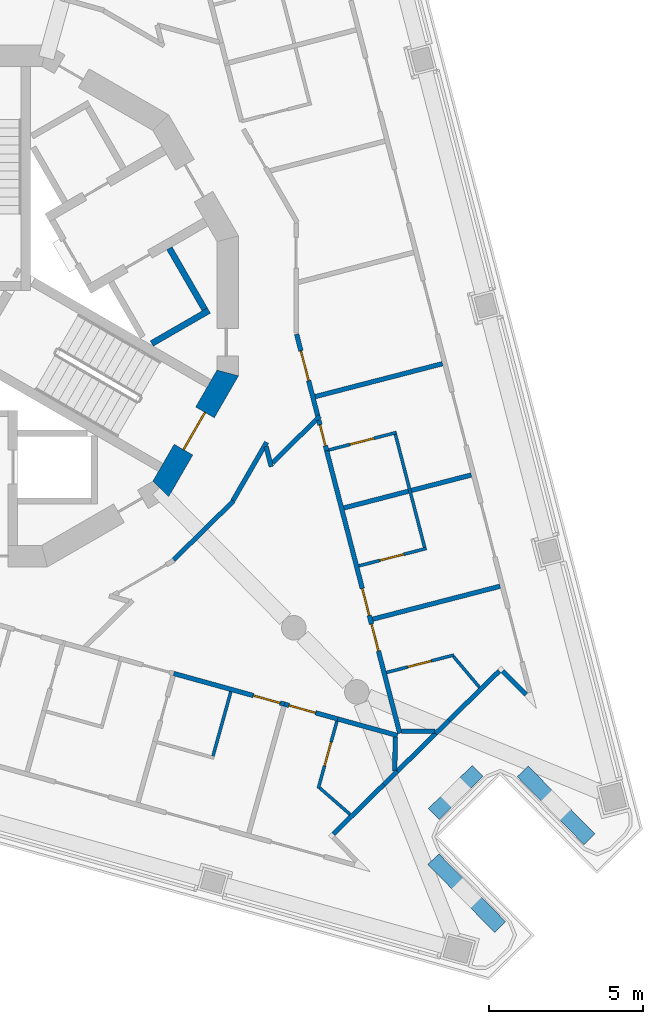
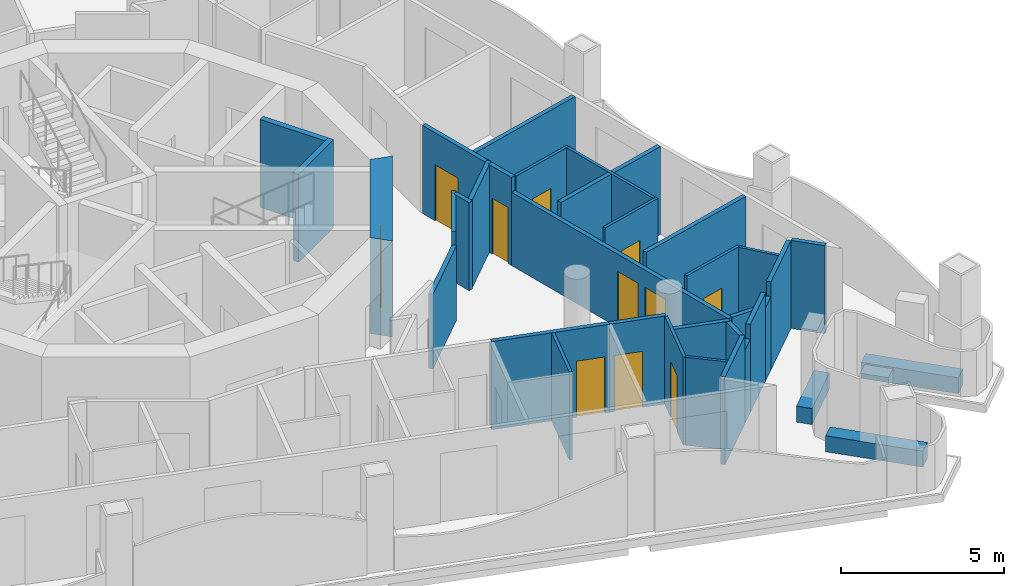
# One storey, part 6 of 14: 35 walls, 11 doors, 11 openings.
"""IFC4 building model written with IfcOpenShell, lengths in metres."""

from ifc_helpers import new_model, si_unit, direction, frame, frame_2d, origin, place, context, subcontext, project, spatial, polyline, rectangle, outline, extrude, material, layer, layer_set, type_object, element, fill, save


model = new_model("IFC4")

# Units and contexts
model_context = context("Model", 3, precision=1e-05, world=origin(), true_north=direction((0.0, 1.0)))
body_context = subcontext(model_context, "Body", "Model", "MODEL_VIEW")
ifc_project = project(units=[si_unit("LENGTHUNIT", "METRE"), si_unit("AREAUNIT", "SQUARE_METRE"), si_unit("VOLUMEUNIT", "CUBIC_METRE"), si_unit("PLANEANGLEUNIT", "RADIAN"), si_unit("MASSUNIT", "GRAM", prefix="KILO")], contexts=[model_context])

# Site, building, storey
site_placement = place(None, origin())
site = spatial("IfcSite", under=ifc_project, at=site_placement, CompositionType="ELEMENT")
building_placement = place(site_placement, origin())
building = spatial("IfcBuilding", under=site, at=building_placement, Name="Trine Commons Tower", CompositionType="ELEMENT")
storey_placement = place(building_placement, frame((0.0, 0.0, 238.5)))
storey = spatial("IfcBuildingStorey", under=building, at=storey_placement, Name="L62", CompositionType="ELEMENT", Elevation=238.5)

# Walls
ifc_material_1 = material(Name="Aluminium-framed insulated wall panel", Category="aluminium")
ifc_layer_1 = layer(ifc_material_1, 0.14990234375)
ifc_layer_set_1 = layer_set([ifc_layer_1], Name="Aluminium-framed insulated wall panel")
wall_type_1 = type_object("IfcWallType", Name="Glazed frame wall 150, EI 60", PredefinedType="SOLIDWALL", material=ifc_layer_set_1)
wall_1_placement = place(storey_placement, frame((97.966796875, 49.731201171875, 0.0), z_axis=(0.0, 0.0, 1.0), x_axis=(-0.700999978355, 0.71316129336, 0.0)))
element("IfcWall", 1, at=wall_1_placement, inside=storey, type_object=wall_type_1, Name="Glazed frame wall R6", PredefinedType="SOLIDWALL", context=body_context, shape_type="SweptSolid", body=[
    extrude(outline(polyline([(0.1494140625, 0.074951171875), (0.1494140625, -0.074951171875), (1.235107421875, -0.074951171875), (1.235107421875, 0.074951171875), (0.1494140625, 0.074951171875)])), origin(), (0.0, 0.0, 1.0), 3.300048828125),
])
wall_2_placement = place(storey_placement, frame((97.073486328125, 50.690185546875, 0.0), z_axis=(0.0, 0.0, 1.0), x_axis=(-0.713250368354, -0.700909346522, 0.0)))
element("IfcWall", 2, at=wall_2_placement, inside=storey, type_object=wall_type_1, Name="Glazed frame wall P2.1", PredefinedType="SOLIDWALL", context=body_context, shape_type="SweptSolid", body=[
    extrude(outline(polyline([(0.110107421875, -0.074951171875), (2.41357421875, -0.074951171875), (2.41357421875, 0.074951171875), (0.110107421875, 0.074951171875), (0.110107421875, -0.074951171875)])), origin(), (0.0, 0.0, 1.0), 3.300048828125),
])
wall_3_placement = place(storey_placement, frame((95.35205078125, 48.99853515625, 0.0), z_axis=(0.0, 0.0, 1.0), x_axis=(-0.713304727682, -0.700854025791, 0.0)))
element("IfcWall", 3, at=wall_3_placement, inside=storey, type_object=wall_type_1, Name="Glazed frame wall P2.2", PredefinedType="SOLIDWALL", context=body_context, shape_type="SweptSolid", body=[
    extrude(outline(polyline([(0.0, -0.074951171875), (0.60791015625, -0.074951171875), (0.60791015625, 0.074951171875), (0.0, 0.074951171875), (0.0, -0.074951171875)])), origin(), (0.0, 0.0, 1.0), 2.75),
])
wall_4_placement = place(storey_placement, frame((94.91845703125, 48.572509765625, 0.0), z_axis=(0.0, 0.0, 1.0), x_axis=(-0.713193839807, -0.700966865737, 0.0)))
element("IfcWall", 4, at=wall_4_placement, inside=storey, type_object=wall_type_1, Name="Glazed frame wall P2.3", PredefinedType="SOLIDWALL", context=body_context, shape_type="SweptSolid", body=[
    extrude(outline(polyline([(0.0, -0.074951171875), (1.757080078125, -0.074951171875), (1.757080078125, 0.074951171875), (0.0, 0.074951171875), (0.0, -0.074951171875)])), origin(), (0.0, 0.0, 1.0), 3.300048828125),
])
wall_5_placement = place(storey_placement, frame((93.665283203125, 47.3408203125, 0.0), z_axis=(0.0, 0.0, 1.0), x_axis=(-0.713304727682, -0.700854025791, 0.0)))
element("IfcWall", 5, at=wall_5_placement, inside=storey, type_object=wall_type_1, Name="Glazed frame wall P2.4", PredefinedType="SOLIDWALL", context=body_context, shape_type="SweptSolid", body=[
    extrude(outline(polyline([(0.0, -0.074951171875), (0.60791015625, -0.074951171875), (0.60791015625, 0.074951171875), (0.0, 0.074951171875), (0.0, -0.074951171875)])), origin(), (0.0, 0.0, 1.0), 2.75),
])
wall_6_placement = place(storey_placement, frame((93.231689453125, 46.914794921875, 0.0), z_axis=(0.0, 0.0, 1.0), x_axis=(-0.713249493487, -0.700910236793, 0.0)))
element("IfcWall", 6, at=wall_6_placement, inside=storey, type_object=wall_type_1, Name="Glazed frame wall P2.5", PredefinedType="SOLIDWALL", context=body_context, shape_type="SweptSolid", body=[
    extrude(outline(polyline([(2.3037109375, 0.074951171875), (0.0, 0.074951171875), (0.0, -0.074951171875), (2.3037109375, -0.074951171875), (2.3037109375, 0.074951171875)])), origin(), (0.0, 0.0, 1.0), 3.300048828125),
])
ifc_material_2 = material(Name="Planter trough, precast concrete C40/50", Category="concrete")
ifc_layer_2 = layer(ifc_material_2, 0.5)
ifc_layer_set_2 = layer_set([ifc_layer_2], Name="Planter trough, precast concrete C40/50")
wall_type_2 = type_object("IfcWallType", Name="Planter trough 500x600", PredefinedType="PARAPET", material=ifc_layer_set_2)
wall_7_placement = place(storey_placement, frame((99.927734375, 45.1318359375, 0.0), z_axis=(0.0, 0.0, 1.0), x_axis=(-0.700897681372, 0.713261831481, 0.0)))
element("IfcWall", 7, at=wall_7_placement, inside=storey, type_object=wall_type_2, Name="Planter 7", PredefinedType="PARAPET", context=body_context, shape_type="SweptSolid", body=[
    extrude(rectangle(XDim=3.10009765625, YDim=0.5, at=frame_2d((1.550048828125, 0.0))), origin(), (0.0, 0.0, 1.0), 0.60009765625),
])
wall_8_placement = place(storey_placement, frame((96.2841796875, 47.355712890625, 0.0), z_axis=(0.0, 0.0, 1.0), x_axis=(-0.713305380591, -0.700853361282, 0.0)))
element("IfcWall", 8, at=wall_8_placement, inside=storey, type_object=wall_type_2, Name="Planter 8", PredefinedType="PARAPET", context=body_context, shape_type="SweptSolid", body=[
    extrude(rectangle(XDim=1.999755859375, YDim=0.5, at=frame_2d((1.0, 0.0))), origin(), (0.0, 0.0, 1.0), 0.60009765625),
])
wall_9_placement = place(storey_placement, frame((94.844970703125, 44.4833984375, 0.0), z_axis=(0.0, 0.0, 1.0), x_axis=(0.700857613291, -0.713301202784, 0.0)))
element("IfcWall", 9, at=wall_9_placement, inside=storey, type_object=wall_type_2, Name="Planter 9", PredefinedType="PARAPET", context=body_context, shape_type="SweptSolid", body=[
    extrude(rectangle(XDim=3.099853515625, YDim=0.5, at=frame_2d((1.5498046875, 0.0))), origin(), (0.0, 0.0, 1.0), 0.60009765625),
])

# Wall, opening, door
ifc_material_3 = material(Name="Concrete C50/60", Category="concrete")
ifc_layer_3 = layer(ifc_material_3, 0.699951171875)
ifc_layer_set_3 = layer_set([ifc_layer_3], Name="Concrete C50/60")
wall_type_3 = type_object("IfcWallType", Name="RC shear wall 700 mm, C50/60", PredefinedType="SHEAR", material=ifc_layer_set_3)
wall_10_placement = place(storey_placement, frame((85.91943359375, 56.452392578125, 0.0), z_axis=(0.0, 0.0, 1.0), x_axis=(0.499983800959, 0.866034756103, 0.0)))
wall_10 = element("IfcWall", 10, at=wall_10_placement, inside=storey, type_object=wall_type_3, Name="Core wall CWG-12 L62", PredefinedType="SHEAR", context=body_context, shape_type="SweptSolid", body=[
    extrude(outline(polyline([(0.0, -0.35009765625), (4.55517578125, -0.35009765625), (4.36767578125, 0.35009765625), (0.1875, 0.35009765625), (0.0, -0.35009765625)])), origin(), (0.0, 0.0, 1.0), 3.60009765625),
])
opening_1_placement = place(wall_10_placement, frame((1.577392578125, 0.0, 0.0)))
opening_1 = element("IfcOpeningElement", 11, at=opening_1_placement, cuts=wall_10, Name="Opening K16.03", PredefinedType="OPENING", context=body_context, shape_type="SweptSolid", body=[
    extrude(rectangle(XDim=1.39990234375, YDim=2.10009765625, at=frame_2d((0.699951171875, 1.050048828125))), frame((0.0, 0.35986328125, 0.0), z_axis=(0.0, -1.0, 0.0), x_axis=(1.0, 0.0, 0.0)), (0.0, 0.0, 1.0), 0.719970703125),
])
ifc_material_4 = material(Name="Steel door leaves, fire-rated", Category="steel")
door_type_1 = type_object("IfcDoorType", Name="Stair door, double leaf 1400 x 2100, FD90", OperationType="DOUBLE_DOOR_SINGLE_SWING", PredefinedType="DOOR", material=ifc_material_4)
door_1_placement = place(opening_1_placement, origin())
door_1 = element("IfcDoor", 12, at=door_1_placement, inside=storey, type_object=door_type_1, Name="Stair door to Exit stair ST3C L62", OperationType="DOUBLE_DOOR_SINGLE_SWING", OverallHeight=2.10009765625, OverallWidth=1.39990234375, PredefinedType="DOOR", context=body_context, shape_type="SweptSolid", body=[
    extrude(rectangle(XDim=1.39990234375, YDim=2.10009765625, at=frame_2d((0.699951171875, 1.050048828125))), frame((0.0, 0.02490234375, 0.0), z_axis=(0.0, -1.0, 0.0), x_axis=(1.0, 0.0, 0.0)), (0.0, 0.0, 1.0), 0.050048828125),
])
fill(opening_1, door_1)

# Walls
ifc_material_5 = material(Name="Fire-rated gypsum shaft wall system")
ifc_layer_4 = layer(ifc_material_5, 0.199951171875)
ifc_layer_set_4 = layer_set([ifc_layer_4], Name="Fire-rated gypsum shaft wall system")
wall_type_4 = type_object("IfcWallType", Name="Shaft wall 200 mm, EI 120", PredefinedType="PARTITIONING", material=ifc_layer_set_4)
wall_11_placement = place(storey_placement, frame((85.675048828125, 61.27392578125, 0.0), z_axis=(0.0, 0.0, 1.0), x_axis=(0.866102336459, 0.499866725018, 0.0)))
element("IfcWall", 13, at=wall_11_placement, inside=storey, type_object=wall_type_4, Name="Shaft wall L62", PredefinedType="PARTITIONING", context=body_context, shape_type="SweptSolid", body=[
    extrude(rectangle(XDim=2.1484375, YDim=0.199951171875, at=frame_2d((1.07421875, 0.0))), origin(), (0.0, 0.0, 1.0), 3.300048828125),
])
wall_12_placement = place(storey_placement, frame((86.2490234375, 64.3759765625, 0.0), z_axis=(0.0, 0.0, 1.0), x_axis=(0.500136062276, -0.86594683394, 0.0)))
element("IfcWall", 14, at=wall_12_placement, inside=storey, type_object=wall_type_4, Name="Shaft wall L62", PredefinedType="PARTITIONING", context=body_context, shape_type="SweptSolid", body=[
    extrude(rectangle(XDim=2.299072265625, YDim=0.199951171875, at=frame_2d((1.1494140625, 0.0))), origin(), (0.0, 0.0, 1.0), 3.300048828125),
])
ifc_material_6 = material(Name="Gypsum plasterboard on steel stud", Category="steel")
ifc_layer_5 = layer(ifc_material_6, 0.14990234375)
ifc_layer_set_5 = layer_set([ifc_layer_5], Name="Gypsum plasterboard on steel stud")
wall_type_5 = type_object("IfcWallType", Name="Unit and corridor wall 150 mm, EI 60", PredefinedType="PARTITIONING", material=ifc_layer_set_5)
wall_13_placement = place(storey_placement, frame((86.384521484375, 54.2275390625, 0.0), z_axis=(0.0, 0.0, 1.0), x_axis=(0.713113779806, 0.701048312922, 0.0)))
element("IfcWall", 15, at=wall_13_placement, inside=storey, type_object=wall_type_5, Name="Partition 078", PredefinedType="PARTITIONING", context=body_context, shape_type="SweptSolid", body=[
    extrude(rectangle(XDim=2.731689453125, YDim=0.14990234375, at=frame_2d((1.36572265625, 0.0))), origin(), (0.0, 0.0, 1.0), 2.800048828125),
])

# Wall, opening, door
wall_14_placement = place(storey_placement, frame((86.39111328125, 50.529052734375, 0.0), z_axis=(0.0, 0.0, 1.0), x_axis=(0.963631856359, -0.267233316428, 0.0)))
wall_14 = element("IfcWall", 16, at=wall_14_placement, inside=storey, type_object=wall_type_5, Name="Partition 079", PredefinedType="PARTITIONING", context=body_context, shape_type="SweptSolid", body=[
    extrude(rectangle(XDim=3.741943359375, YDim=0.14990234375, at=frame_2d((1.87109375, 0.0))), origin(), (0.0, 0.0, 1.0), 3.300048828125),
])
opening_2_placement = place(wall_14_placement, frame((2.692138671875, 0.0, 0.0)))
opening_2 = element("IfcOpeningElement", 17, at=opening_2_placement, cuts=wall_14, Name="Opening D-7A20", PredefinedType="OPENING", context=body_context, shape_type="SweptSolid", body=[
    extrude(rectangle(XDim=0.89990234375, YDim=2.10009765625, at=frame_2d((0.449951171875, 1.050048828125))), frame((0.0, 0.0849609375, 0.0), z_axis=(0.0, -1.0, 0.0), x_axis=(1.0, 0.0, 0.0)), (0.0, 0.0, 1.0), 0.169921875),
])
ifc_material_7 = material(Name="Timber fire door set", Category="wood")
door_type_2 = type_object("IfcDoorType", Name="Bedroom door 900 x 2100, FD30S", OperationType="NOTDEFINED", PredefinedType="DOOR", material=ifc_material_7)
door_2_placement = place(opening_2_placement, frame((0.89990234375, 0.0, 0.0), z_axis=(0.0, 0.0, 1.0), x_axis=(-1.0, 0.0, 0.0)))
door_2 = element("IfcDoor", 18, at=door_2_placement, inside=storey, type_object=door_type_2, Name="Door D-7A20", OperationType="SINGLE_SWING_LEFT", OverallHeight=2.10009765625, OverallWidth=0.89990234375, PredefinedType="DOOR", context=body_context, shape_type="SweptSolid", body=[
    extrude(rectangle(XDim=0.89990234375, YDim=2.10009765625, at=frame_2d((0.449951171875, 1.050048828125))), frame((0.0, 0.02490234375, 0.0), z_axis=(0.0, -1.0, 0.0), x_axis=(1.0, 0.0, 0.0)), (0.0, 0.0, 1.0), 0.050048828125),
])
fill(opening_2, door_2)

# Walls
wall_15_placement = place(storey_placement, frame((88.31640625, 56.15478515625, 0.0), z_axis=(0.0, 0.0, 1.0), x_axis=(0.500129524705, 0.865950609745, 0.0)))
element("IfcWall", 19, at=wall_15_placement, inside=storey, type_object=wall_type_5, Name="Partition 087", PredefinedType="PARTITIONING", context=body_context, shape_type="SweptSolid", body=[
    extrude(rectangle(XDim=2.19775390625, YDim=0.14990234375, at=frame_2d((1.098876953125, 0.0))), origin(), (0.0, 0.0, 1.0), 3.300048828125),
])
wall_16_placement = place(storey_placement, frame((89.396728515625, 57.92041015625, 0.0), z_axis=(0.0, 0.0, 1.0), x_axis=(0.249398389606, -0.968400972357, 0.0)))
element("IfcWall", 20, at=wall_16_placement, inside=storey, type_object=wall_type_5, Name="Partition 091", PredefinedType="PARTITIONING", context=body_context, shape_type="SweptSolid", body=[
    extrude(rectangle(XDim=0.677490234375, YDim=0.14990234375, at=frame_2d((0.3388671875, 0.0))), origin(), (0.0, 0.0, 1.0), 3.300048828125),
])
wall_17_placement = place(storey_placement, frame((89.60546875, 57.3896484375, 0.0), z_axis=(0.0, 0.0, 1.0), x_axis=(0.713117689353, 0.701044336068, 0.0)))
element("IfcWall", 21, at=wall_17_placement, inside=storey, type_object=wall_type_5, Name="Partition 093", PredefinedType="PARTITIONING", context=body_context, shape_type="SweptSolid", body=[
    extrude(rectangle(XDim=2.16357421875, YDim=0.14990234375, at=frame_2d((1.081787109375, 0.0))), origin(), (0.0, 0.0, 1.0), 3.300048828125),
])

# Wall, opening, door
wall_18_placement = place(storey_placement, frame((89.9970703125, 49.529052734375, 0.0), z_axis=(0.0, 0.0, 1.0), x_axis=(0.963677325853, -0.267069301188, 0.0)))
wall_18 = element("IfcWall", 22, at=wall_18_placement, inside=storey, type_object=wall_type_5, Name="Partition 095", PredefinedType="PARTITIONING", context=body_context, shape_type="SweptSolid", body=[
    extrude(rectangle(XDim=1.797119140625, YDim=0.14990234375, at=frame_2d((0.8984375, 0.0))), origin(), (0.0, 0.0, 1.0), 3.300048828125),
])
opening_3_placement = place(wall_18_placement, frame((0.14990234375, 0.0, 0.0)))
opening_3 = element("IfcOpeningElement", 23, at=opening_3_placement, cuts=wall_18, Name="Opening D-7A19", PredefinedType="OPENING", context=body_context, shape_type="SweptSolid", body=[
    extrude(rectangle(XDim=0.89990234375, YDim=2.10009765625, at=frame_2d((0.449951171875, 1.050048828125))), frame((0.0, 0.0849609375, 0.0), z_axis=(0.0, -1.0, 0.0), x_axis=(1.0, 0.0, 0.0)), (0.0, 0.0, 1.0), 0.169921875),
])
door_3_placement = place(opening_3_placement, frame((0.89990234375, 0.0, 0.0), z_axis=(0.0, 0.0, 1.0), x_axis=(-1.0, 0.0, 0.0)))
door_3 = element("IfcDoor", 24, at=door_3_placement, inside=storey, type_object=door_type_2, Name="Door D-7A19", OperationType="SINGLE_SWING_RIGHT", OverallHeight=2.10009765625, OverallWidth=0.89990234375, PredefinedType="DOOR", context=body_context, shape_type="SweptSolid", body=[
    extrude(rectangle(XDim=0.89990234375, YDim=2.10009765625, at=frame_2d((0.449951171875, 1.050048828125))), frame((0.0, 0.02490234375, 0.0), z_axis=(0.0, -1.0, 0.0), x_axis=(1.0, 0.0, 0.0)), (0.0, 0.0, 1.0), 0.050048828125),
])
fill(opening_3, door_3)

wall_19_placement = place(storey_placement, frame((90.39208984375, 61.576904296875, 0.0), z_axis=(0.0, 0.0, 1.0), x_axis=(0.250280264266, -0.96817342936, 0.0)))
wall_19 = element("IfcWall", 25, at=wall_19_placement, inside=storey, type_object=wall_type_5, Name="Partition 099", PredefinedType="PARTITIONING", context=body_context, shape_type="SweptSolid", body=[
    extrude(rectangle(XDim=2.808349609375, YDim=0.14990234375, at=frame_2d((1.404296875, 0.0))), origin(), (0.0, 0.0, 1.0), 3.300048828125),
])
opening_4_placement = place(wall_19_placement, frame((0.5595703125, 0.0, 0.0)))
opening_4 = element("IfcOpeningElement", 26, at=opening_4_placement, cuts=wall_19, Name="Opening D-7A15", PredefinedType="OPENING", context=body_context, shape_type="SweptSolid", body=[
    extrude(rectangle(XDim=1.0, YDim=2.10009765625, at=frame_2d((0.5, 1.050048828125))), frame((0.0, 0.0849609375, 0.0), z_axis=(0.0, -1.0, 0.0), x_axis=(1.0, 0.0, 0.0)), (0.0, 0.0, 1.0), 0.169921875),
])
ifc_material_8 = material(Name="Painted timber", Category="wood")
door_type_3 = type_object("IfcDoorType", Name="Toilet door 1000 x 2100, NOT RATED", OperationType="NOTDEFINED", PredefinedType="DOOR", material=ifc_material_8)
door_4_placement = place(opening_4_placement, origin())
door_4 = element("IfcDoor", 27, at=door_4_placement, inside=storey, type_object=door_type_3, Name="Door D-7A15", OperationType="SINGLE_SWING_LEFT", OverallHeight=2.10009765625, OverallWidth=1.0, PredefinedType="DOOR", context=body_context, shape_type="SweptSolid", body=[
    extrude(rectangle(XDim=1.0, YDim=2.10009765625, at=frame_2d((0.5, 1.050048828125))), frame((0.0, 0.02490234375, 0.0), z_axis=(0.0, -1.0, 0.0), x_axis=(1.0, 0.0, 0.0)), (0.0, 0.0, 1.0), 0.050048828125),
])
fill(opening_4, door_4)

# Wall
wall_20_placement = place(storey_placement, frame((90.99267578125, 59.543701171875, 0.0), z_axis=(0.0, 0.0, 1.0), x_axis=(0.968129527106, 0.250450032434, 0.0)))
element("IfcWall", 28, at=wall_20_placement, inside=storey, type_object=wall_type_5, Name="Partition 100", PredefinedType="PARTITIONING", context=body_context, shape_type="SweptSolid", body=[
    extrude(rectangle(XDim=4.28515625, YDim=0.14990234375, at=frame_2d((2.142578125, 0.0))), origin(), (0.0, 0.0, 1.0), 3.300048828125),
])

# Wall, opening, door
wall_21_placement = place(storey_placement, frame((91.11279296875, 58.782470703125, 0.0), z_axis=(0.0, 0.0, 1.0), x_axis=(0.249777676576, -0.968303212989, 0.0)))
wall_21 = element("IfcWall", 29, at=wall_21_placement, inside=storey, type_object=wall_type_5, Name="Partition 101", PredefinedType="PARTITIONING", context=body_context, shape_type="SweptSolid", body=[
    extrude(rectangle(XDim=1.0302734375, YDim=0.14990234375, at=frame_2d((0.51513671875, 0.0))), origin(), (0.0, 0.0, 1.0), 3.300048828125),
])
opening_5_placement = place(wall_21_placement, frame((0.162841796875, 0.0, 0.0)))
opening_5 = element("IfcOpeningElement", 30, at=opening_5_placement, cuts=wall_21, Name="Opening D-7A16", PredefinedType="OPENING", context=body_context, shape_type="SweptSolid", body=[
    extrude(rectangle(XDim=0.699951171875, YDim=2.10009765625, at=frame_2d((0.35009765625, 1.050048828125))), frame((0.0, 0.0849609375, 0.0), z_axis=(0.0, -1.0, 0.0), x_axis=(1.0, 0.0, 0.0)), (0.0, 0.0, 1.0), 0.169921875),
])
door_type_4 = type_object("IfcDoorType", Name="Bedroom door 700 x 2100, FD30S", OperationType="NOTDEFINED", PredefinedType="DOOR", material=ifc_material_7)
door_5_placement = place(opening_5_placement, origin())
door_5 = element("IfcDoor", 31, at=door_5_placement, inside=storey, type_object=door_type_4, Name="Door D-7A16", OperationType="SINGLE_SWING_LEFT", OverallHeight=2.10009765625, OverallWidth=0.699951171875, PredefinedType="DOOR", context=body_context, shape_type="SweptSolid", body=[
    extrude(rectangle(XDim=0.699951171875, YDim=2.10009765625, at=frame_2d((0.35009765625, 1.050048828125))), frame((0.0, 0.02490234375, 0.0), z_axis=(0.0, -1.0, 0.0), x_axis=(1.0, 0.0, 0.0)), (0.0, 0.0, 1.0), 0.050048828125),
])
fill(opening_5, door_5)

# Wall, openings, doors
wall_22_placement = place(storey_placement, frame((91.35546875, 57.84130859375, 0.0), z_axis=(0.0, 0.0, 1.0), x_axis=(0.25042530879, -0.968135922646, 0.0)))
wall_22 = element("IfcWall", 32, at=wall_22_placement, inside=storey, type_object=wall_type_5, Name="Partition 104", PredefinedType="PARTITIONING", context=body_context, shape_type="SweptSolid", body=[
    extrude(rectangle(XDim=9.564697265625, YDim=0.14990234375, at=frame_2d((4.7822265625, 0.0))), origin(), (0.0, 0.0, 1.0), 2.75),
])
opening_6_placement = place(wall_22_placement, frame((4.696533203125, 0.0, 0.0)))
opening_6 = element("IfcOpeningElement", 33, at=opening_6_placement, cuts=wall_22, Name="Opening D-7A17", PredefinedType="OPENING", context=body_context, shape_type="SweptSolid", body=[
    extrude(rectangle(XDim=0.89990234375, YDim=2.10009765625, at=frame_2d((0.449951171875, 1.050048828125))), frame((0.0, 0.0849609375, 0.0), z_axis=(0.0, -1.0, 0.0), x_axis=(1.0, 0.0, 0.0)), (0.0, 0.0, 1.0), 0.169921875),
])
opening_7_placement = place(wall_22_placement, frame((5.896728515625, 0.0, 0.0)))
opening_7 = element("IfcOpeningElement", 34, at=opening_7_placement, cuts=wall_22, Name="Opening D-7A18", PredefinedType="OPENING", context=body_context, shape_type="SweptSolid", body=[
    extrude(rectangle(XDim=0.89990234375, YDim=2.10009765625, at=frame_2d((0.449951171875, 1.050048828125))), frame((0.0, 0.0849609375, 0.0), z_axis=(0.0, -1.0, 0.0), x_axis=(1.0, 0.0, 0.0)), (0.0, 0.0, 1.0), 0.169921875),
])
door_6_placement = place(opening_6_placement, origin())
door_6 = element("IfcDoor", 35, at=door_6_placement, inside=storey, type_object=door_type_2, Name="Door D-7A17", OperationType="SINGLE_SWING_RIGHT", OverallHeight=2.10009765625, OverallWidth=0.89990234375, PredefinedType="DOOR", context=body_context, shape_type="SweptSolid", body=[
    extrude(rectangle(XDim=0.89990234375, YDim=2.10009765625, at=frame_2d((0.449951171875, 1.050048828125))), frame((0.0, 0.02490234375, 0.0), z_axis=(0.0, -1.0, 0.0), x_axis=(1.0, 0.0, 0.0)), (0.0, 0.0, 1.0), 0.050048828125),
])
fill(opening_6, door_6)
door_7_placement = place(opening_7_placement, origin())
door_7 = element("IfcDoor", 36, at=door_7_placement, inside=storey, type_object=door_type_2, Name="Door D-7A18", OperationType="SINGLE_SWING_RIGHT", OverallHeight=2.10009765625, OverallWidth=0.89990234375, PredefinedType="DOOR", context=body_context, shape_type="SweptSolid", body=[
    extrude(rectangle(XDim=0.89990234375, YDim=2.10009765625, at=frame_2d((0.449951171875, 1.050048828125))), frame((0.0, 0.02490234375, 0.0), z_axis=(0.0, -1.0, 0.0), x_axis=(1.0, 0.0, 0.0)), (0.0, 0.0, 1.0), 0.050048828125),
])
fill(opening_7, door_7)

# Walls
wall_23_placement = place(storey_placement, frame((91.6728515625, 49.064453125, 0.0), z_axis=(0.0, 0.0, 1.0), x_axis=(0.963652381101, -0.267159294054, 0.0)))
element("IfcWall", 37, at=wall_23_placement, inside=storey, type_object=wall_type_5, Name="Partition 106", PredefinedType="PARTITIONING", context=body_context, shape_type="SweptSolid", body=[
    extrude(rectangle(XDim=2.0791015625, YDim=0.14990234375, at=frame_2d((1.03955078125, 0.0))), origin(), (0.0, 0.0, 1.0), 2.75),
])
wall_24_placement = place(storey_placement, frame((91.9296875, 55.919921875, 0.0), z_axis=(0.0, 0.0, 1.0), x_axis=(0.968143339783, 0.250396632634, 0.0)))
element("IfcWall", 38, at=wall_24_placement, inside=storey, type_object=wall_type_5, Name="Partition 107", PredefinedType="PARTITIONING", context=body_context, shape_type="SweptSolid", body=[
    extrude(rectangle(XDim=4.28515625, YDim=0.14990234375, at=frame_2d((2.142578125, 0.0))), origin(), (0.0, 0.0, 1.0), 3.300048828125),
])
wall_25_placement = place(storey_placement, frame((92.86767578125, 52.296875, 0.0), z_axis=(0.0, 0.0, 1.0), x_axis=(0.968184295309, 0.250238227129, 0.0)))
element("IfcWall", 39, at=wall_25_placement, inside=storey, type_object=wall_type_5, Name="Partition 109", PredefinedType="PARTITIONING", context=body_context, shape_type="SweptSolid", body=[
    extrude(rectangle(XDim=4.283935546875, YDim=0.14990234375, at=frame_2d((2.14208984375, 0.0))), origin(), (0.0, 0.0, 1.0), 3.300048828125),
])
for number, where, z_axis, x_axis, name in (
    (40, (93.589599609375, 47.35595703125, 0.0), (0.0, 0.0, 1.0), (0.012226742726, 0.999925250587, 0.0), "Partition 111"),
    (41, (93.806884765625, 48.653564453125, 0.0), (0.0, 0.0, 1.0), (0.999983294214, -0.005780250256, 0.0), "Partition 113"),
):
    element("IfcWall", number, at=place(storey_placement, frame(where, z_axis=z_axis, x_axis=x_axis)), inside=storey, type_object=wall_type_5, Name=name, PredefinedType="PARTITIONING", context=body_context, shape_type="SweptSolid", body=[
        extrude(rectangle(XDim=1.09814453125, YDim=0.14990234375, at=frame_2d((0.549072265625, 0.0))), origin(), (0.0, 0.0, 1.0), 2.75),
    ])
ifc_layer_6 = layer(ifc_material_6, 0.10009765625)
ifc_layer_set_6 = layer_set([ifc_layer_6], Name="Gypsum plasterboard on steel stud")
wall_type_6 = type_object("IfcWallType", Name="Unit partition 100 mm, no rating", PredefinedType="PARTITIONING", material=ifc_layer_set_6)
wall_26_placement = place(storey_placement, frame((87.66845703125, 47.840087890625, 0.0), z_axis=(0.0, 0.0, 1.0), x_axis=(0.26738911175, 0.96358863781, 0.0)))
element("IfcWall", 42, at=wall_26_placement, inside=storey, type_object=wall_type_6, Name="Partition 083", PredefinedType="PARTITIONING", context=body_context, shape_type="SweptSolid", body=[
    extrude(rectangle(XDim=2.1748046875, YDim=0.10009765625, at=frame_2d((1.08740234375, 0.0))), origin(), (0.0, 0.0, 1.0), 3.300048828125),
])

# Wall, opening, door
wall_27_placement = place(storey_placement, frame((91.0966796875, 46.784912109375, 0.0), z_axis=(0.0, 0.0, 1.0), x_axis=(0.267345061669, 0.963600860316, 0.0)))
wall_27 = element("IfcWall", 43, at=wall_27_placement, inside=storey, type_object=wall_type_6, Name="Partition 102", PredefinedType="PARTITIONING", context=body_context, shape_type="SweptSolid", body=[
    extrude(rectangle(XDim=2.275634765625, YDim=0.10009765625, at=frame_2d((1.1376953125, 0.0))), origin(), (0.0, 0.0, 1.0), 3.300048828125),
])
opening_8_placement = place(wall_27_placement, frame((0.762939453125, 0.0, 0.0)))
opening_8 = element("IfcOpeningElement", 44, at=opening_8_placement, cuts=wall_27, Name="Opening D-7A40", PredefinedType="OPENING", context=body_context, shape_type="SweptSolid", body=[
    extrude(rectangle(XDim=0.800048828125, YDim=2.10009765625, at=frame_2d((0.39990234375, 1.050048828125))), frame((0.0, 0.06005859375, 0.0), z_axis=(0.0, -1.0, 0.0), x_axis=(1.0, 0.0, 0.0)), (0.0, 0.0, 1.0), 0.1201171875),
])
door_type_5 = type_object("IfcDoorType", Name="Internal door 800 x 2100, NOT RATED", OperationType="NOTDEFINED", PredefinedType="DOOR", material=ifc_material_8)
door_8_placement = place(opening_8_placement, origin())
door_8 = element("IfcDoor", 45, at=door_8_placement, inside=storey, type_object=door_type_5, Name="Door D-7A40", OperationType="SINGLE_SWING_RIGHT", OverallHeight=2.10009765625, OverallWidth=0.800048828125, PredefinedType="DOOR", context=body_context, shape_type="SweptSolid", body=[
    extrude(rectangle(XDim=0.800048828125, YDim=2.10009765625, at=frame_2d((0.39990234375, 1.050048828125))), frame((0.0, 0.02490234375, 0.0), z_axis=(0.0, -1.0, 0.0), x_axis=(1.0, 0.0, 0.0)), (0.0, 0.0, 1.0), 0.050048828125),
])
fill(opening_8, door_8)

# Wall
wall_28_placement = place(storey_placement, frame((91.147705078125, 46.800048828125, 0.0), z_axis=(0.0, 0.0, 1.0), x_axis=(0.753374202667, -0.657592054967, 0.0)))
element("IfcWall", 46, at=wall_28_placement, inside=storey, type_object=wall_type_6, Name="Partition 103", PredefinedType="PARTITIONING", context=body_context, shape_type="SweptSolid", body=[
    extrude(rectangle(XDim=1.3076171875, YDim=0.10009765625, at=frame_2d((0.65380859375, 0.0))), origin(), (0.0, 0.0, 1.0), 3.300048828125),
])

# Wall, opening, door
wall_29_placement = place(storey_placement, frame((91.441650390625, 57.807861328125, 0.0), z_axis=(0.0, 0.0, 1.0), x_axis=(0.968154087165, 0.250355074856, 0.0)))
wall_29 = element("IfcWall", 47, at=wall_29_placement, inside=storey, type_object=wall_type_6, Name="Partition 105", PredefinedType="PARTITIONING", context=body_context, shape_type="SweptSolid", body=[
    extrude(rectangle(XDim=2.275146484375, YDim=0.10009765625, at=frame_2d((1.1376953125, 0.0))), origin(), (0.0, 0.0, 1.0), 3.300048828125),
])
opening_9_placement = place(wall_29_placement, frame((0.712646484375, 0.0, 0.0)))
opening_9 = element("IfcOpeningElement", 48, at=opening_9_placement, cuts=wall_29, Name="Opening D-7A37", PredefinedType="OPENING", context=body_context, shape_type="SweptSolid", body=[
    extrude(rectangle(XDim=0.800048828125, YDim=2.10009765625, at=frame_2d((0.39990234375, 1.050048828125))), frame((0.0, 0.06005859375, 0.0), z_axis=(0.0, -1.0, 0.0), x_axis=(1.0, 0.0, 0.0)), (0.0, 0.0, 1.0), 0.1201171875),
])
door_9_placement = place(opening_9_placement, origin())
door_9 = element("IfcDoor", 49, at=door_9_placement, inside=storey, type_object=door_type_5, Name="Door D-7A37", OperationType="SINGLE_SWING_LEFT", OverallHeight=2.10009765625, OverallWidth=0.800048828125, PredefinedType="DOOR", context=body_context, shape_type="SweptSolid", body=[
    extrude(rectangle(XDim=0.800048828125, YDim=2.10009765625, at=frame_2d((0.39990234375, 1.050048828125))), frame((0.0, 0.02490234375, 0.0), z_axis=(0.0, -1.0, 0.0), x_axis=(1.0, 0.0, 0.0)), (0.0, 0.0, 1.0), 0.050048828125),
])
fill(opening_9, door_9)

wall_30_placement = place(storey_placement, frame((92.418701171875, 54.03271484375, 0.0), z_axis=(0.0, 0.0, 1.0), x_axis=(0.968205218878, 0.250157258814, 0.0)))
wall_30 = element("IfcWall", 50, at=wall_30_placement, inside=storey, type_object=wall_type_6, Name="Partition 108", PredefinedType="PARTITIONING", context=body_context, shape_type="SweptSolid", body=[
    extrude(rectangle(XDim=2.27392578125, YDim=0.10009765625, at=frame_2d((1.136962890625, 0.0))), origin(), (0.0, 0.0, 1.0), 3.300048828125),
])
opening_10_placement = place(wall_30_placement, frame((0.7119140625, 0.0, 0.0)))
opening_10 = element("IfcOpeningElement", 51, at=opening_10_placement, cuts=wall_30, Name="Opening D-7A38", PredefinedType="OPENING", context=body_context, shape_type="SweptSolid", body=[
    extrude(rectangle(XDim=0.800048828125, YDim=2.10009765625, at=frame_2d((0.39990234375, 1.050048828125))), frame((0.0, 0.06005859375, 0.0), z_axis=(0.0, -1.0, 0.0), x_axis=(1.0, 0.0, 0.0)), (0.0, 0.0, 1.0), 0.1201171875),
])
door_10_placement = place(opening_10_placement, frame((0.800048828125, 0.0, 0.0), z_axis=(0.0, 0.0, 1.0), x_axis=(-1.0, 0.0, 0.0)))
door_10 = element("IfcDoor", 52, at=door_10_placement, inside=storey, type_object=door_type_5, Name="Door D-7A38", OperationType="SINGLE_SWING_RIGHT", OverallHeight=2.10009765625, OverallWidth=0.800048828125, PredefinedType="DOOR", context=body_context, shape_type="SweptSolid", body=[
    extrude(rectangle(XDim=0.800048828125, YDim=2.10009765625, at=frame_2d((0.39990234375, 1.050048828125))), frame((0.0, 0.02490234375, 0.0), z_axis=(0.0, -1.0, 0.0), x_axis=(1.0, 0.0, 0.0)), (0.0, 0.0, 1.0), 0.050048828125),
])
fill(opening_10, door_10)

wall_31_placement = place(storey_placement, frame((93.316650390625, 50.560791015625, 0.0), z_axis=(0.0, 0.0, 1.0), x_axis=(0.968101130966, 0.25055977375, 0.0)))
wall_31 = element("IfcWall", 53, at=wall_31_placement, inside=storey, type_object=wall_type_6, Name="Partition 110", PredefinedType="PARTITIONING", context=body_context, shape_type="SweptSolid", body=[
    extrude(rectangle(XDim=2.274169921875, YDim=0.10009765625, at=frame_2d((1.13720703125, 0.0))), origin(), (0.0, 0.0, 1.0), 3.300048828125),
])
opening_11_placement = place(wall_31_placement, frame((0.712158203125, 0.0, 0.0)))
opening_11 = element("IfcOpeningElement", 54, at=opening_11_placement, cuts=wall_31, Name="Opening D-7A39", PredefinedType="OPENING", context=body_context, shape_type="SweptSolid", body=[
    extrude(rectangle(XDim=0.800048828125, YDim=2.10009765625, at=frame_2d((0.39990234375, 1.050048828125))), frame((0.0, 0.06005859375, 0.0), z_axis=(0.0, -1.0, 0.0), x_axis=(1.0, 0.0, 0.0)), (0.0, 0.0, 1.0), 0.1201171875),
])
door_11_placement = place(opening_11_placement, origin())
door_11 = element("IfcDoor", 55, at=door_11_placement, inside=storey, type_object=door_type_5, Name="Door D-7A39", OperationType="SINGLE_SWING_LEFT", OverallHeight=2.10009765625, OverallWidth=0.800048828125, PredefinedType="DOOR", context=body_context, shape_type="SweptSolid", body=[
    extrude(rectangle(XDim=0.800048828125, YDim=2.10009765625, at=frame_2d((0.39990234375, 1.050048828125))), frame((0.0, 0.02490234375, 0.0), z_axis=(0.0, -1.0, 0.0), x_axis=(1.0, 0.0, 0.0)), (0.0, 0.0, 1.0), 0.050048828125),
])
fill(opening_11, door_11)

# Walls
wall_32_placement = place(storey_placement, frame((93.6083984375, 58.316650390625, 0.0), z_axis=(0.0, 0.0, 1.0), x_axis=(0.250297686366, -0.968168925446, 0.0)))
element("IfcWall", 56, at=wall_32_placement, inside=storey, type_object=wall_type_6, Name="Partition 112", PredefinedType="PARTITIONING", context=body_context, shape_type="SweptSolid", body=[
    extrude(rectangle(XDim=3.800048828125, YDim=0.10009765625, at=frame_2d((1.89990234375, 0.0))), origin(), (0.0, 0.0, 1.0), 3.300048828125),
])
wall_33_placement = place(storey_placement, frame((95.502197265625, 51.079833984375, 0.0), z_axis=(0.0, 0.0, 1.0), x_axis=(0.644451791136, -0.76464494303, 0.0)))
element("IfcWall", 57, at=wall_33_placement, inside=storey, type_object=wall_type_6, Name="Partition 114", PredefinedType="PARTITIONING", context=body_context, shape_type="SweptSolid", body=[
    extrude(rectangle(XDim=1.30810546875, YDim=0.10009765625, at=frame_2d((0.654052734375, 0.0))), origin(), (0.0, 0.0, 1.0), 3.300048828125),
])

save(model, "model.ifc")
